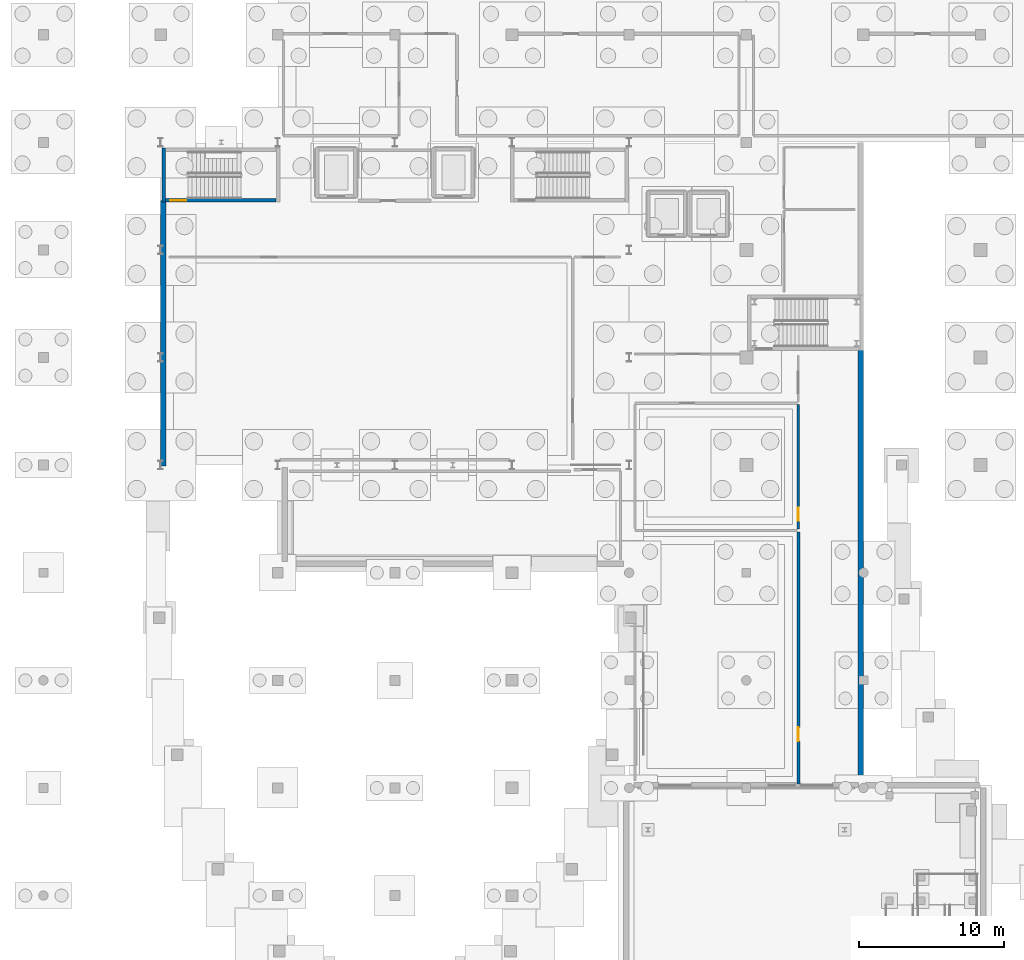
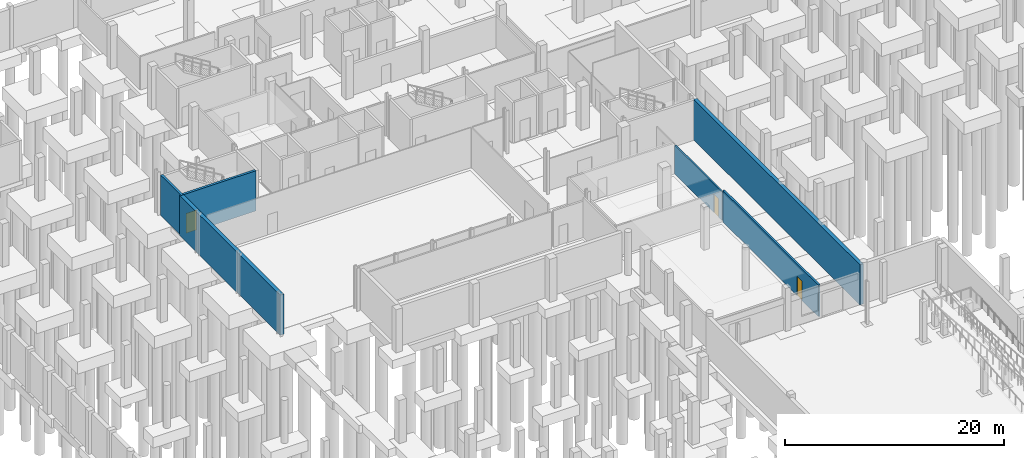
# One storey, part 26 of 37: 6 walls, 3 doors, 3 openings.
"""IFC4 building model written with IfcOpenShell, lengths in metres."""

from ifc_helpers import new_model, si_unit, direction, frame, frame_2d, origin, place, context, subcontext, project, spatial, rectangle, extrude, material, layer, layer_set, type_object, element, fill, save


model = new_model("IFC4")

# Units and contexts
model_context = context("Model", 3, precision=1e-05, world=origin(), true_north=direction((0.0, 1.0)))
body_context = subcontext(model_context, "Body", "Model", "MODEL_VIEW")
ifc_project = project(units=[si_unit("LENGTHUNIT", "METRE"), si_unit("AREAUNIT", "SQUARE_METRE"), si_unit("VOLUMEUNIT", "CUBIC_METRE"), si_unit("PLANEANGLEUNIT", "RADIAN"), si_unit("MASSUNIT", "GRAM", prefix="KILO")], contexts=[model_context])

# Site, building, storey
site_placement = place(None, origin())
site = spatial("IfcSite", under=ifc_project, at=site_placement, CompositionType="ELEMENT")
building_placement = place(site_placement, origin())
building = spatial("IfcBuilding", under=site, at=building_placement, Name="Kaelora Sail Theatre", CompositionType="ELEMENT")
storey_placement = place(building_placement, frame((0.0, 0.0, -4.800048828125)))
storey = spatial("IfcBuildingStorey", under=building, at=storey_placement, Name="B1", CompositionType="ELEMENT", Elevation=-4.800048828125)

# Wall, opening, door
ifc_material_1 = material(Name="Concrete C40/50", Category="concrete")
ifc_layer_1 = layer(ifc_material_1, 0.25)
ifc_layer_set_1 = layer_set([ifc_layer_1], Name="Concrete C40/50")
wall_type_1 = type_object("IfcWallType", Name="ARC-WL-CW-250", PredefinedType="SHEAR", material=ifc_layer_set_1)
wall_1_placement = place(storey_placement, frame((26.155029296875, 79.324951171875, 0.0), z_axis=(0.0, 0.0, 1.0), x_axis=(1.0, 0.0, 0.0)))
wall_1 = element("IfcWall", 1, at=wall_1_placement, inside=storey, type_object=wall_type_1, Name="Stair shaft ST-K1 wall B1-S", PredefinedType="SHEAR", context=body_context, shape_type="SweptSolid", body=[
    extrude(rectangle(XDim=7.639892578125, YDim=0.25, at=frame_2d((3.81982421875, 0.0))), origin(), (0.0, 0.0, 1.0), 4.47998046875),
])
opening_1_placement = place(wall_1_placement, frame((0.320068359375, 0.0, 0.0)))
opening_1 = element("IfcOpeningElement", 2, at=opening_1_placement, cuts=wall_1, Name="Opening FD-02", PredefinedType="OPENING", context=body_context, shape_type="SweptSolid", body=[
    extrude(rectangle(XDim=1.10009765625, YDim=2.199951171875, at=frame_2d((0.550048828125, 1.10009765625))), frame((0.0, 0.135, 0.0), z_axis=(0.0, -1.0, 0.0), x_axis=(1.0, 0.0, 0.0)), (0.0, 0.0, 1.0), 0.27),
])
ifc_material_2 = material(Name="Acoustic steel single stair/lobby fire door EI 90-C", Category="steel")
door_type_1 = type_object("IfcDoorType", Name="ARC-DR-FD-02", OperationType="NOTDEFINED", PredefinedType="DOOR", material=ifc_material_2)
door_1_placement = place(opening_1_placement, origin())
door_1 = element("IfcDoor", 3, at=door_1_placement, inside=storey, type_object=door_type_1, Name="Stair ST-K1 door (B1)", OperationType="SINGLE_SWING_LEFT", OverallHeight=2.199951171875, OverallWidth=1.10009765625, PredefinedType="DOOR", context=body_context, shape_type="SweptSolid", body=[
    extrude(rectangle(XDim=1.10009765625, YDim=2.199951171875, at=frame_2d((0.550048828125, 1.10009765625))), frame((0.0, 0.02490234375, 0.0), z_axis=(0.0, -1.0, 0.0), x_axis=(1.0, 0.0, 0.0)), (0.0, 0.0, 1.0), 0.050048828125),
])
fill(opening_1, door_1)

# Wall
wall_2_placement = place(storey_placement, frame((26.02490234375, 79.199951171875, 0.0), z_axis=(0.0, 0.0, 1.0), x_axis=(0.0, 1.0, 0.0)))
element("IfcWall", 4, at=wall_2_placement, inside=storey, type_object=wall_type_1, Name="Stair shaft ST-K1 wall B1-W", PredefinedType="SHEAR", context=body_context, shape_type="SweptSolid", body=[
    extrude(rectangle(XDim=3.75, YDim=0.25, at=frame_2d((1.875, 0.0))), origin(), (0.0, 0.0, 1.0), 4.47998046875),
])

# Wall, opening, door
ifc_material_3 = material(Name="Acoustic metal-stud plasterboard 160 mm", Category="gypsum")
ifc_layer_2 = layer(ifc_material_3, 0.159912109375)
ifc_layer_set_2 = layer_set([ifc_layer_2], Name="Acoustic metal-stud plasterboard 160 mm")
wall_type_2 = type_object("IfcWallType", Name="ARC-WL-PT-160", PredefinedType="PARTITIONING", material=ifc_layer_set_2)
wall_3_placement = place(storey_placement, frame((69.89990234375, 56.60009765625, 0.0), z_axis=(0.0, 0.0, 1.0), x_axis=(0.0, 1.0, 0.0)))
wall_3 = element("IfcWall", 5, at=wall_3_placement, inside=storey, type_object=wall_type_2, Name="Interior acoustic partition B1-CLOAK/B1-COR-MAIN", PredefinedType="PARTITIONING", context=body_context, shape_type="SweptSolid", body=[
    extrude(rectangle(XDim=8.599853515625, YDim=0.159912109375, at=frame_2d((4.2998046875, 0.0))), origin(), (0.0, 0.0, 1.0), 3.18212890625),
])
opening_2_placement = place(wall_3_placement, frame((0.580078125, 0.0, 0.0)))
opening_2 = element("IfcOpeningElement", 6, at=opening_2_placement, cuts=wall_3, Name="Opening ID-03", PredefinedType="OPENING", context=body_context, shape_type="SweptSolid", body=[
    extrude(rectangle(XDim=0.89990234375, YDim=2.10009765625, at=frame_2d((0.449951171875, 1.050048828125))), frame((0.0, 0.090078, 0.0), z_axis=(0.0, -1.0, 0.0), x_axis=(1.0, 0.0, 0.0)), (0.0, 0.0, 1.0), 0.179912),
])
ifc_material_4 = material(Name="Accessible sanitary laminate door", Category="timber")
door_type_2 = type_object("IfcDoorType", Name="ARC-DR-ID-03", OperationType="NOTDEFINED", PredefinedType="DOOR", material=ifc_material_4)
door_2_placement = place(opening_2_placement, origin())
door_2 = element("IfcDoor", 7, at=door_2_placement, inside=storey, type_object=door_type_2, Name="Interior door B1-CLOAK to B1-COR-MAIN", OperationType="SINGLE_SWING_LEFT", OverallHeight=2.10009765625, OverallWidth=0.89990234375, PredefinedType="DOOR", context=body_context, shape_type="SweptSolid", body=[
    extrude(rectangle(XDim=0.89990234375, YDim=2.10009765625, at=frame_2d((0.449951171875, 1.050048828125))), frame((0.0, 0.02490234375, 0.0), z_axis=(0.0, -1.0, 0.0), x_axis=(1.0, 0.0, 0.0)), (0.0, 0.0, 1.0), 0.050048828125),
])
fill(opening_2, door_2)

ifc_material_5 = material(Name="Acoustic double-stud plasterboard 200 mm", Category="gypsum")
ifc_layer_3 = layer(ifc_material_5, 0.199951171875)
ifc_layer_set_3 = layer_set([ifc_layer_3], Name="Acoustic double-stud plasterboard 200 mm")
wall_type_3 = type_object("IfcWallType", Name="ARC-WL-PT-200", PredefinedType="PARTITIONING", material=ifc_layer_set_3)
wall_4_placement = place(storey_placement, frame((69.89990234375, 38.969970703125, 0.0), z_axis=(0.0, 0.0, 1.0), x_axis=(0.0, 1.0, 0.0)))
wall_4 = element("IfcWall", 8, at=wall_4_placement, inside=storey, type_object=wall_type_3, Name="Interior acoustic partition B1-METRO/B1-COR-MAIN", PredefinedType="PARTITIONING", context=body_context, shape_type="SweptSolid", body=[
    extrude(rectangle(XDim=17.429931640625, YDim=0.199951171875, at=frame_2d((8.71484375, 0.0))), origin(), (0.0, 0.0, 1.0), 3.511962890625),
])
opening_3_placement = place(wall_4_placement, frame((2.968017578125, 0.0, 0.0)))
opening_3 = element("IfcOpeningElement", 9, at=opening_3_placement, cuts=wall_4, Name="Opening ID-02", PredefinedType="OPENING", context=body_context, shape_type="SweptSolid", body=[
    extrude(rectangle(XDim=0.949951171875, YDim=2.14990234375, at=frame_2d((0.47509765625, 1.074951171875))), frame((0.0, 0.110098, 0.0), z_axis=(0.0, -1.0, 0.0), x_axis=(1.0, 0.0, 0.0)), (0.0, 0.0, 1.0), 0.219951),
])
ifc_material_6 = material(Name="Timber dressing and office single door", Category="wood")
door_type_3 = type_object("IfcDoorType", Name="ARC-DR-ID-02", OperationType="NOTDEFINED", PredefinedType="DOOR", material=ifc_material_6)
door_3_placement = place(opening_3_placement, origin())
door_3 = element("IfcDoor", 10, at=door_3_placement, inside=storey, type_object=door_type_3, Name="Interior door B1-METRO to B1-COR-MAIN", OperationType="SINGLE_SWING_LEFT", OverallHeight=2.14990234375, OverallWidth=0.949951171875, PredefinedType="DOOR", context=body_context, shape_type="SweptSolid", body=[
    extrude(rectangle(XDim=0.949951171875, YDim=2.14990234375, at=frame_2d((0.47509765625, 1.074951171875))), frame((0.0, 0.02490234375, 0.0), z_axis=(0.0, -1.0, 0.0), x_axis=(1.0, 0.0, 0.0)), (0.0, 0.0, 1.0), 0.050048828125),
])
fill(opening_3, door_3)

# Walls
ifc_material_7 = material(Name="Concrete C40/50", Category="concrete")
ifc_layer_4 = layer(ifc_material_7, 0.3798828125)
ifc_layer_set_4 = layer_set([ifc_layer_4], Name="Concrete C40/50")
wall_type_4 = type_object("IfcWallType", Name="ARC-WL-RW-380", PredefinedType="USERDEFINED", material=ifc_layer_set_4)
wall_5_placement = place(storey_placement, frame((25.989990234375, 60.949951171875, 0.0), z_axis=(0.0, 0.0, 1.0), x_axis=(0.0, 1.0, 0.0)))
element("IfcWall", 11, at=wall_5_placement, inside=storey, type_object=wall_type_4, Name="Grounded concrete plinth retaining wall B1-RW-OPIT-W2", ObjectType="RETAINING WALL", PredefinedType="USERDEFINED", context=body_context, shape_type="SweptSolid", body=[
    extrude(rectangle(XDim=18.3701171875, YDim=0.3798828125, at=frame_2d((9.18505859375, 0.0))), origin(), (0.0, 0.0, 1.0), 4.47998046875),
])
wall_6_placement = place(storey_placement, frame((74.2099609375, 38.699951171875, 0.0), z_axis=(0.0, 0.0, 1.0), x_axis=(0.0, 1.0, 0.0)))
element("IfcWall", 12, at=wall_6_placement, inside=storey, type_object=wall_type_4, Name="Grounded concrete plinth retaining wall B1-RW-FC1-E1", ObjectType="RETAINING WALL", PredefinedType="USERDEFINED", context=body_context, shape_type="SweptSolid", body=[
    extrude(rectangle(XDim=30.3701171875, YDim=0.3798828125, at=frame_2d((15.18505859375, 0.0))), origin(), (0.0, 0.0, 1.0), 4.47998046875),
])

save(model, "model.ifc")
